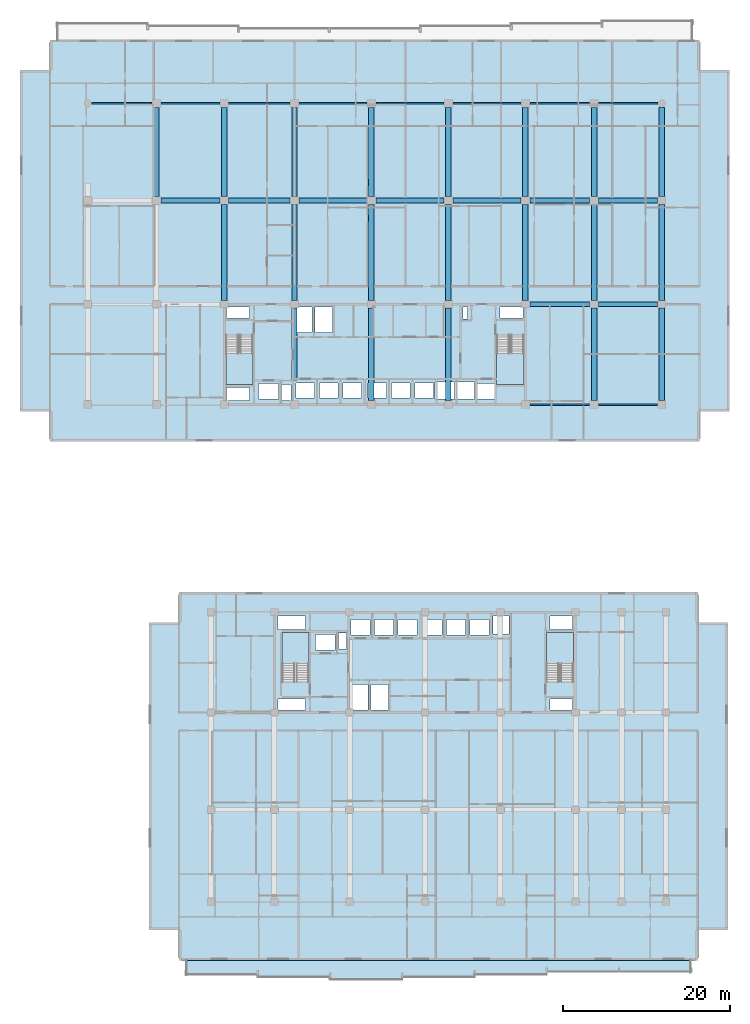
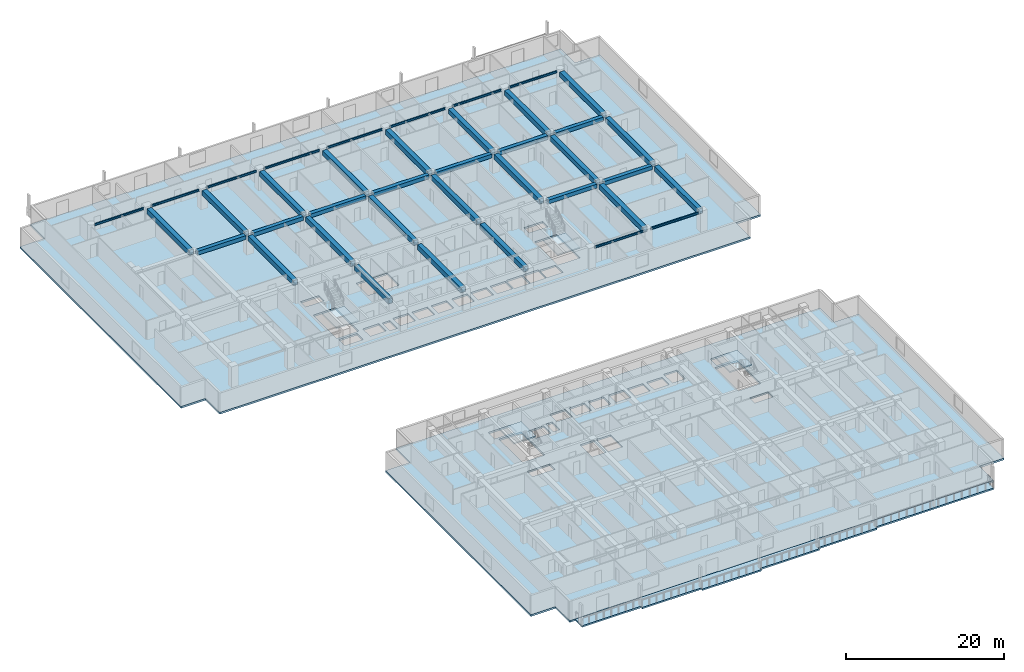
# One storey, part 2 of 23: 39 beams, 7 slabs, 4 elements without a shape of their own.
"""IFC4 building model written with IfcOpenShell, lengths in metres."""

from ifc_helpers import new_model, si_unit, direction, frame, origin, origin_2d, place, context, subcontext, project, spatial, polyline, rectangle, i_section, outline, extrude, material, layer, layer_set, material_profile, profile_set, type_object, element, aggregate, save


model = new_model("IFC4")

# Units and contexts
model_context = context("Model", 3, precision=1e-05, world=origin(), true_north=direction((0.0, 1.0)))
body_context = subcontext(model_context, "Body", "Model", "MODEL_VIEW")
ifc_project = project(units=[si_unit("LENGTHUNIT", "METRE"), si_unit("AREAUNIT", "SQUARE_METRE"), si_unit("VOLUMEUNIT", "CUBIC_METRE"), si_unit("PLANEANGLEUNIT", "RADIAN"), si_unit("MASSUNIT", "GRAM", prefix="KILO")], contexts=[model_context])

# Site, building, storey
site_placement = place(None, origin())
site = spatial("IfcSite", under=ifc_project, at=site_placement, CompositionType="ELEMENT")
building_placement = place(site_placement, origin())
building = spatial("IfcBuilding", under=site, at=building_placement, Name="Korimba Cascade Residences", CompositionType="ELEMENT")
storey_placement = place(building_placement, frame((0.0, 0.0, 40.25)))
storey = spatial("IfcBuildingStorey", under=building, at=storey_placement, Name="L10", CompositionType="ELEMENT", Elevation=40.25)

# Beams
ifc_material_1 = material(Name="Concrete C50/60", Category="concrete")
ifc_material_profile_1 = material_profile(ifc_material_1, rectangle(XDim=0.550048828125, YDim=0.60009765625, at=origin_2d()), Name="Concrete C50/60")
ifc_profile_set_1 = profile_set([ifc_material_profile_1], Name="Concrete C50/60")
beam_type_1 = type_object("IfcBeamType", Name="BM-RC-B600", PredefinedType="BEAM", material=ifc_profile_set_1)
beam_1_placement = place(storey_placement, frame((112.625, 67.199951171875, 2.669921875), z_axis=(1.0, 0.0, 0.0), x_axis=(0.0, 1.0, 0.0)))
element("IfcBeam", 1, at=beam_1_placement, inside=storey, type_object=beam_type_1, Name="L10 T1 E-W Girder Y2 Bay 7", PredefinedType="BEAM", context=body_context, shape_type="SweptSolid", body=[
    extrude(rectangle(XDim=0.550048828125, YDim=0.60009765625, at=origin_2d()), origin(), (0.0, 0.0, 1.0), 7.14990234375),
])
for number, where, z_axis, x_axis, name in (
    (2, (120.824951171875, 67.199951171875, 2.669921875), (1.0, 0.0, 0.0), (0.0, 1.0, 0.0), "L10 T1 E-W Girder Y2 Bay 8"),
    (3, (68.52490234375, 79.60009765625, 2.669921875), (1.0, 0.0, 0.0), (0.0, 1.0, 0.0), "L10 T1 E-W Girder Y3 Bay 2"),
):
    element("IfcBeam", number, at=place(storey_placement, frame(where, z_axis=z_axis, x_axis=x_axis)), inside=storey, type_object=beam_type_1, Name=name, PredefinedType="BEAM", context=body_context, shape_type="SweptSolid", body=[
        extrude(rectangle(XDim=0.550048828125, YDim=0.60009765625, at=origin_2d()), origin(), (0.0, 0.0, 1.0), 7.050048828125),
    ])
beam_2_placement = place(storey_placement, frame((76.625, 79.60009765625, 2.669921875), z_axis=(1.0, 0.0, 0.0), x_axis=(0.0, 1.0, 0.0)))
element("IfcBeam", 4, at=beam_2_placement, inside=storey, type_object=beam_type_1, Name="L10 T1 E-W Girder Y3 Bay 3", PredefinedType="BEAM", context=body_context, shape_type="SweptSolid", body=[
    extrude(rectangle(XDim=0.550048828125, YDim=0.60009765625, at=origin_2d()), origin(), (0.0, 0.0, 1.0), 7.35009765625),
])
beam_3_placement = place(storey_placement, frame((85.02490234375, 79.60009765625, 2.669921875), z_axis=(1.0, 0.0, 0.0), x_axis=(0.0, 1.0, 0.0)))
element("IfcBeam", 5, at=beam_3_placement, inside=storey, type_object=beam_type_1, Name="L10 T1 E-W Girder Y3 Bay 4", PredefinedType="BEAM", context=body_context, shape_type="SweptSolid", body=[
    extrude(rectangle(XDim=0.550048828125, YDim=0.60009765625, at=origin_2d()), origin(), (0.0, 0.0, 1.0), 8.150146484375),
])
for number, where, z_axis, x_axis, name in (
    (6, (94.22509765625, 79.60009765625, 2.669921875), (1.0, 0.0, 0.0), (0.0, 1.0, 0.0), "L10 T1 E-W Girder Y3 Bay 5"),
    (7, (103.425048828125, 79.60009765625, 2.669921875), (1.0, 0.0, 0.0), (0.0, 1.0, 0.0), "L10 T1 E-W Girder Y3 Bay 6"),
):
    element("IfcBeam", number, at=place(storey_placement, frame(where, z_axis=z_axis, x_axis=x_axis)), inside=storey, type_object=beam_type_1, Name=name, PredefinedType="BEAM", context=body_context, shape_type="SweptSolid", body=[
        extrude(rectangle(XDim=0.550048828125, YDim=0.60009765625, at=origin_2d()), origin(), (0.0, 0.0, 1.0), 8.14990234375),
    ])
beam_4_placement = place(storey_placement, frame((112.625, 79.60009765625, 2.669921875), z_axis=(1.0, 0.0, 0.0), x_axis=(0.0, 1.0, 0.0)))
element("IfcBeam", 8, at=beam_4_placement, inside=storey, type_object=beam_type_1, Name="L10 T1 E-W Girder Y3 Bay 7", PredefinedType="BEAM", context=body_context, shape_type="SweptSolid", body=[
    extrude(rectangle(XDim=0.550048828125, YDim=0.60009765625, at=origin_2d()), origin(), (0.0, 0.0, 1.0), 7.14990234375),
])
beam_5_placement = place(storey_placement, frame((120.824951171875, 79.60009765625, 2.669921875), z_axis=(1.0, 0.0, 0.0), x_axis=(0.0, 1.0, 0.0)))
element("IfcBeam", 9, at=beam_5_placement, inside=storey, type_object=beam_type_1, Name="L10 T1 E-W Girder Y3 Bay 8", PredefinedType="BEAM", context=body_context, shape_type="SweptSolid", body=[
    extrude(rectangle(XDim=0.550048828125, YDim=0.60009765625, at=origin_2d()), origin(), (0.0, 0.0, 1.0), 7.050048828125),
])
ifc_material_profile_2 = material_profile(ifc_material_1, rectangle(XDim=0.64990234375, YDim=0.75, at=origin_2d()), Name="Concrete C50/60")
ifc_profile_set_2 = profile_set([ifc_material_profile_2], Name="Concrete C50/60")
beam_type_2 = type_object("IfcBeamType", Name="BM-RC-G750", PredefinedType="BEAM", material=ifc_profile_set_2)
beam_6_placement = place(storey_placement, frame((68.0, 80.074951171875, 2.594970703125), z_axis=(0.0, 1.0, 0.0), x_axis=(-1.0, 0.0, 0.0)))
element("IfcBeam", 10, at=beam_6_placement, inside=storey, type_object=beam_type_2, Name="L10 T1 N-S Girder X2 Seg 3", PredefinedType="BEAM", context=body_context, shape_type="SweptSolid", body=[
    extrude(rectangle(XDim=0.64990234375, YDim=0.75, at=origin_2d()), origin(), (0.0, 0.0, 1.0), 10.650146484375),
])
beam_7_placement = place(storey_placement, frame((76.10009765625, 67.675048828125, 2.594970703125), z_axis=(0.0, 1.0, 0.0), x_axis=(-1.0, 0.0, 0.0)))
element("IfcBeam", 11, at=beam_7_placement, inside=storey, type_object=beam_type_2, Name="L10 T1 N-S Girder X3 Seg 2", PredefinedType="BEAM", context=body_context, shape_type="SweptSolid", body=[
    extrude(rectangle(XDim=0.64990234375, YDim=0.75, at=origin_2d()), origin(), (0.0, 0.0, 1.0), 11.449951171875),
])
beam_8_placement = place(storey_placement, frame((76.10009765625, 80.074951171875, 2.594970703125), z_axis=(0.0, 1.0, 0.0), x_axis=(-1.0, 0.0, 0.0)))
element("IfcBeam", 12, at=beam_8_placement, inside=storey, type_object=beam_type_2, Name="L10 T1 N-S Girder X3 Seg 3", PredefinedType="BEAM", context=body_context, shape_type="SweptSolid", body=[
    extrude(rectangle(XDim=0.64990234375, YDim=0.75, at=origin_2d()), origin(), (0.0, 0.0, 1.0), 10.650146484375),
])
beam_9_placement = place(storey_placement, frame((84.5, 58.159912109375, 2.594970703125), z_axis=(0.0, 1.0, 0.0), x_axis=(-1.0, 0.0, 0.0)))
element("IfcBeam", 13, at=beam_9_placement, inside=storey, type_object=beam_type_2, Name="L10 T1 N-S Girder X4 Seg 1", PredefinedType="BEAM", context=body_context, shape_type="SweptSolid", body=[
    extrude(rectangle(XDim=0.64990234375, YDim=0.75, at=origin_2d()), origin(), (0.0, 0.0, 1.0), 8.565185546875),
])
beam_10_placement = place(storey_placement, frame((84.5, 67.675048828125, 2.594970703125), z_axis=(0.0, 1.0, 0.0), x_axis=(-1.0, 0.0, 0.0)))
element("IfcBeam", 14, at=beam_10_placement, inside=storey, type_object=beam_type_2, Name="L10 T1 N-S Girder X4 Seg 2", PredefinedType="BEAM", context=body_context, shape_type="SweptSolid", body=[
    extrude(rectangle(XDim=0.64990234375, YDim=0.75, at=origin_2d()), origin(), (0.0, 0.0, 1.0), 11.449951171875),
])
beam_11_placement = place(storey_placement, frame((84.5, 80.074951171875, 2.594970703125), z_axis=(0.0, 1.0, 0.0), x_axis=(-1.0, 0.0, 0.0)))
element("IfcBeam", 15, at=beam_11_placement, inside=storey, type_object=beam_type_2, Name="L10 T1 N-S Girder X4 Seg 3", PredefinedType="BEAM", context=body_context, shape_type="SweptSolid", body=[
    extrude(rectangle(XDim=0.64990234375, YDim=0.75, at=origin_2d()), origin(), (0.0, 0.0, 1.0), 10.650146484375),
])
beam_12_placement = place(storey_placement, frame((93.699951171875, 55.675048828125, 2.594970703125), z_axis=(0.0, 1.0, 0.0), x_axis=(-1.0, 0.0, 0.0)))
element("IfcBeam", 16, at=beam_12_placement, inside=storey, type_object=beam_type_2, Name="L10 T1 N-S Girder X5 Seg 1", PredefinedType="BEAM", context=body_context, shape_type="SweptSolid", body=[
    extrude(rectangle(XDim=0.64990234375, YDim=0.75, at=origin_2d()), origin(), (0.0, 0.0, 1.0), 11.050048828125),
])
beam_13_placement = place(storey_placement, frame((93.699951171875, 67.675048828125, 2.594970703125), z_axis=(0.0, 1.0, 0.0), x_axis=(-1.0, 0.0, 0.0)))
element("IfcBeam", 17, at=beam_13_placement, inside=storey, type_object=beam_type_2, Name="L10 T1 N-S Girder X5 Seg 2", PredefinedType="BEAM", context=body_context, shape_type="SweptSolid", body=[
    extrude(rectangle(XDim=0.64990234375, YDim=0.75, at=origin_2d()), origin(), (0.0, 0.0, 1.0), 11.449951171875),
])
beam_14_placement = place(storey_placement, frame((93.699951171875, 80.074951171875, 2.594970703125), z_axis=(0.0, 1.0, 0.0), x_axis=(-1.0, 0.0, 0.0)))
element("IfcBeam", 18, at=beam_14_placement, inside=storey, type_object=beam_type_2, Name="L10 T1 N-S Girder X5 Seg 3", PredefinedType="BEAM", context=body_context, shape_type="SweptSolid", body=[
    extrude(rectangle(XDim=0.64990234375, YDim=0.75, at=origin_2d()), origin(), (0.0, 0.0, 1.0), 10.650146484375),
])
beam_15_placement = place(storey_placement, frame((102.89990234375, 55.675048828125, 2.594970703125), z_axis=(0.0, 1.0, 0.0), x_axis=(-1.0, 0.0, 0.0)))
element("IfcBeam", 19, at=beam_15_placement, inside=storey, type_object=beam_type_2, Name="L10 T1 N-S Girder X6 Seg 1", PredefinedType="BEAM", context=body_context, shape_type="SweptSolid", body=[
    extrude(rectangle(XDim=0.64990234375, YDim=0.75, at=origin_2d()), origin(), (0.0, 0.0, 1.0), 11.050048828125),
])
beam_16_placement = place(storey_placement, frame((102.89990234375, 67.675048828125, 2.594970703125), z_axis=(0.0, 1.0, 0.0), x_axis=(-1.0, 0.0, 0.0)))
element("IfcBeam", 20, at=beam_16_placement, inside=storey, type_object=beam_type_2, Name="L10 T1 N-S Girder X6 Seg 2", PredefinedType="BEAM", context=body_context, shape_type="SweptSolid", body=[
    extrude(rectangle(XDim=0.64990234375, YDim=0.75, at=origin_2d()), origin(), (0.0, 0.0, 1.0), 11.449951171875),
])
beam_17_placement = place(storey_placement, frame((102.89990234375, 80.074951171875, 2.594970703125), z_axis=(0.0, 1.0, 0.0), x_axis=(-1.0, 0.0, 0.0)))
element("IfcBeam", 21, at=beam_17_placement, inside=storey, type_object=beam_type_2, Name="L10 T1 N-S Girder X6 Seg 3", PredefinedType="BEAM", context=body_context, shape_type="SweptSolid", body=[
    extrude(rectangle(XDim=0.64990234375, YDim=0.75, at=origin_2d()), origin(), (0.0, 0.0, 1.0), 10.650146484375),
])
beam_18_placement = place(storey_placement, frame((112.10009765625, 67.675048828125, 2.594970703125), z_axis=(0.0, 1.0, 0.0), x_axis=(-1.0, 0.0, 0.0)))
element("IfcBeam", 22, at=beam_18_placement, inside=storey, type_object=beam_type_2, Name="L10 T1 N-S Girder X7 Seg 2", PredefinedType="BEAM", context=body_context, shape_type="SweptSolid", body=[
    extrude(rectangle(XDim=0.64990234375, YDim=0.75, at=origin_2d()), origin(), (0.0, 0.0, 1.0), 11.449951171875),
])
beam_19_placement = place(storey_placement, frame((112.10009765625, 80.074951171875, 2.594970703125), z_axis=(0.0, 1.0, 0.0), x_axis=(-1.0, 0.0, 0.0)))
element("IfcBeam", 23, at=beam_19_placement, inside=storey, type_object=beam_type_2, Name="L10 T1 N-S Girder X7 Seg 3", PredefinedType="BEAM", context=body_context, shape_type="SweptSolid", body=[
    extrude(rectangle(XDim=0.64990234375, YDim=0.75, at=origin_2d()), origin(), (0.0, 0.0, 1.0), 10.650146484375),
])
beam_20_placement = place(storey_placement, frame((120.300048828125, 55.675048828125, 2.594970703125), z_axis=(0.0, 1.0, 0.0), x_axis=(-1.0, 0.0, 0.0)))
element("IfcBeam", 24, at=beam_20_placement, inside=storey, type_object=beam_type_2, Name="L10 T1 N-S Girder X8 Seg 1", PredefinedType="BEAM", context=body_context, shape_type="SweptSolid", body=[
    extrude(rectangle(XDim=0.64990234375, YDim=0.75, at=origin_2d()), origin(), (0.0, 0.0, 1.0), 11.050048828125),
])
beam_21_placement = place(storey_placement, frame((120.300048828125, 67.675048828125, 2.594970703125), z_axis=(0.0, 1.0, 0.0), x_axis=(-1.0, 0.0, 0.0)))
element("IfcBeam", 25, at=beam_21_placement, inside=storey, type_object=beam_type_2, Name="L10 T1 N-S Girder X8 Seg 2", PredefinedType="BEAM", context=body_context, shape_type="SweptSolid", body=[
    extrude(rectangle(XDim=0.64990234375, YDim=0.75, at=origin_2d()), origin(), (0.0, 0.0, 1.0), 11.449951171875),
])
beam_22_placement = place(storey_placement, frame((120.300048828125, 80.074951171875, 2.594970703125), z_axis=(0.0, 1.0, 0.0), x_axis=(-1.0, 0.0, 0.0)))
element("IfcBeam", 26, at=beam_22_placement, inside=storey, type_object=beam_type_2, Name="L10 T1 N-S Girder X8 Seg 3", PredefinedType="BEAM", context=body_context, shape_type="SweptSolid", body=[
    extrude(rectangle(XDim=0.64990234375, YDim=0.75, at=origin_2d()), origin(), (0.0, 0.0, 1.0), 10.650146484375),
])
beam_23_placement = place(storey_placement, frame((128.39990234375, 55.675048828125, 2.594970703125), z_axis=(0.0, 1.0, 0.0), x_axis=(-1.0, 0.0, 0.0)))
element("IfcBeam", 27, at=beam_23_placement, inside=storey, type_object=beam_type_2, Name="L10 T1 N-S Girder X9 Seg 1", PredefinedType="BEAM", context=body_context, shape_type="SweptSolid", body=[
    extrude(rectangle(XDim=0.64990234375, YDim=0.75, at=origin_2d()), origin(), (0.0, 0.0, 1.0), 11.050048828125),
])
beam_24_placement = place(storey_placement, frame((128.39990234375, 67.675048828125, 2.594970703125), z_axis=(0.0, 1.0, 0.0), x_axis=(-1.0, 0.0, 0.0)))
element("IfcBeam", 28, at=beam_24_placement, inside=storey, type_object=beam_type_2, Name="L10 T1 N-S Girder X9 Seg 2", PredefinedType="BEAM", context=body_context, shape_type="SweptSolid", body=[
    extrude(rectangle(XDim=0.64990234375, YDim=0.75, at=origin_2d()), origin(), (0.0, 0.0, 1.0), 11.449951171875),
])
beam_25_placement = place(storey_placement, frame((128.39990234375, 80.074951171875, 2.594970703125), z_axis=(0.0, 1.0, 0.0), x_axis=(-1.0, 0.0, 0.0)))
element("IfcBeam", 29, at=beam_25_placement, inside=storey, type_object=beam_type_2, Name="L10 T1 N-S Girder X9 Seg 3", PredefinedType="BEAM", context=body_context, shape_type="SweptSolid", body=[
    extrude(rectangle(XDim=0.64990234375, YDim=0.75, at=origin_2d()), origin(), (0.0, 0.0, 1.0), 10.650146484375),
])
ifc_material_2 = material(Name="Steel S355", Category="steel")
ifc_material_profile_3 = material_profile(ifc_material_2, i_section(OverallWidth=0.165771484375, OverallDepth=0.306640625, WebThickness=0.006591796875, FlangeThickness=0.01171875, FilletRadius=0.0087890625, at=origin_2d()), Name="Steel S355")
ifc_profile_set_3 = profile_set([ifc_material_profile_3], Name="Steel S355")
beam_type_3 = type_object("IfcBeamType", Name="BM-STL-UB305", PredefinedType="SPANDREL", material=ifc_profile_set_3)
beam_26_placement = place(storey_placement, frame((112.625, 55.199951171875, 2.816650390625), z_axis=(1.0, 0.0, 0.0), x_axis=(0.0, 1.0, 0.0)))
element("IfcBeam", 30, at=beam_26_placement, inside=storey, type_object=beam_type_3, Name="L10 T1 E-W Girder Y1 Bay 7", PredefinedType="SPANDREL", context=body_context, shape_type="SweptSolid", body=[
    extrude(i_section(OverallWidth=0.165771484375, OverallDepth=0.306640625, WebThickness=0.006591796875, FlangeThickness=0.01171875, FilletRadius=0.0087890625, at=origin_2d()), origin(), (0.0, 0.0, 1.0), 7.14990234375),
])
beam_27_placement = place(storey_placement, frame((120.824951171875, 55.199951171875, 2.816650390625), z_axis=(1.0, 0.0, 0.0), x_axis=(0.0, 1.0, 0.0)))
element("IfcBeam", 31, at=beam_27_placement, inside=storey, type_object=beam_type_3, Name="L10 T1 E-W Girder Y1 Bay 8", PredefinedType="SPANDREL", context=body_context, shape_type="SweptSolid", body=[
    extrude(i_section(OverallWidth=0.165771484375, OverallDepth=0.306640625, WebThickness=0.006591796875, FlangeThickness=0.01171875, FilletRadius=0.0087890625, at=origin_2d()), origin(), (0.0, 0.0, 1.0), 7.050048828125),
])
beam_28_placement = place(storey_placement, frame((60.27490234375, 91.199951171875, 2.816650390625), z_axis=(1.0, 0.0, 0.0), x_axis=(0.0, 1.0, 0.0)))
element("IfcBeam", 32, at=beam_28_placement, inside=storey, type_object=beam_type_3, Name="L10 T1 E-W Girder Y4 Bay 1", PredefinedType="SPANDREL", context=body_context, shape_type="SweptSolid", body=[
    extrude(i_section(OverallWidth=0.165771484375, OverallDepth=0.306640625, WebThickness=0.006591796875, FlangeThickness=0.01171875, FilletRadius=0.0087890625, at=origin_2d()), origin(), (0.0, 0.0, 1.0), 7.2001953125),
])
beam_29_placement = place(storey_placement, frame((68.52490234375, 91.199951171875, 2.816650390625), z_axis=(1.0, 0.0, 0.0), x_axis=(0.0, 1.0, 0.0)))
element("IfcBeam", 33, at=beam_29_placement, inside=storey, type_object=beam_type_3, Name="L10 T1 E-W Girder Y4 Bay 2", PredefinedType="SPANDREL", context=body_context, shape_type="SweptSolid", body=[
    extrude(i_section(OverallWidth=0.165771484375, OverallDepth=0.306640625, WebThickness=0.006591796875, FlangeThickness=0.01171875, FilletRadius=0.0087890625, at=origin_2d()), origin(), (0.0, 0.0, 1.0), 7.050048828125),
])
beam_30_placement = place(storey_placement, frame((76.625, 91.199951171875, 2.816650390625), z_axis=(1.0, 0.0, 0.0), x_axis=(0.0, 1.0, 0.0)))
element("IfcBeam", 34, at=beam_30_placement, inside=storey, type_object=beam_type_3, Name="L10 T1 E-W Girder Y4 Bay 3", PredefinedType="SPANDREL", context=body_context, shape_type="SweptSolid", body=[
    extrude(i_section(OverallWidth=0.165771484375, OverallDepth=0.306640625, WebThickness=0.006591796875, FlangeThickness=0.01171875, FilletRadius=0.0087890625, at=origin_2d()), origin(), (0.0, 0.0, 1.0), 7.35009765625),
])
beam_31_placement = place(storey_placement, frame((85.02490234375, 91.199951171875, 2.816650390625), z_axis=(1.0, 0.0, 0.0), x_axis=(0.0, 1.0, 0.0)))
element("IfcBeam", 35, at=beam_31_placement, inside=storey, type_object=beam_type_3, Name="L10 T1 E-W Girder Y4 Bay 4", PredefinedType="SPANDREL", context=body_context, shape_type="SweptSolid", body=[
    extrude(i_section(OverallWidth=0.165771484375, OverallDepth=0.306640625, WebThickness=0.006591796875, FlangeThickness=0.01171875, FilletRadius=0.0087890625, at=origin_2d()), origin(), (0.0, 0.0, 1.0), 8.150146484375),
])
for number, where, z_axis, x_axis, name in (
    (36, (94.22509765625, 91.199951171875, 2.816650390625), (1.0, 0.0, 0.0), (0.0, 1.0, 0.0), "L10 T1 E-W Girder Y4 Bay 5"),
    (37, (103.425048828125, 91.199951171875, 2.816650390625), (1.0, 0.0, 0.0), (0.0, 1.0, 0.0), "L10 T1 E-W Girder Y4 Bay 6"),
):
    element("IfcBeam", number, at=place(storey_placement, frame(where, z_axis=z_axis, x_axis=x_axis)), inside=storey, type_object=beam_type_3, Name=name, PredefinedType="SPANDREL", context=body_context, shape_type="SweptSolid", body=[
        extrude(i_section(OverallWidth=0.165771484375, OverallDepth=0.306640625, WebThickness=0.006591796875, FlangeThickness=0.01171875, FilletRadius=0.0087890625, at=origin_2d()), origin(), (0.0, 0.0, 1.0), 8.14990234375),
    ])
beam_32_placement = place(storey_placement, frame((112.625, 91.199951171875, 2.816650390625), z_axis=(1.0, 0.0, 0.0), x_axis=(0.0, 1.0, 0.0)))
element("IfcBeam", 38, at=beam_32_placement, inside=storey, type_object=beam_type_3, Name="L10 T1 E-W Girder Y4 Bay 7", PredefinedType="SPANDREL", context=body_context, shape_type="SweptSolid", body=[
    extrude(i_section(OverallWidth=0.165771484375, OverallDepth=0.306640625, WebThickness=0.006591796875, FlangeThickness=0.01171875, FilletRadius=0.0087890625, at=origin_2d()), origin(), (0.0, 0.0, 1.0), 7.14990234375),
])
beam_33_placement = place(storey_placement, frame((120.824951171875, 91.199951171875, 2.816650390625), z_axis=(1.0, 0.0, 0.0), x_axis=(0.0, 1.0, 0.0)))
element("IfcBeam", 39, at=beam_33_placement, inside=storey, type_object=beam_type_3, Name="L10 T1 E-W Girder Y4 Bay 8", PredefinedType="SPANDREL", context=body_context, shape_type="SweptSolid", body=[
    extrude(i_section(OverallWidth=0.165771484375, OverallDepth=0.306640625, WebThickness=0.006591796875, FlangeThickness=0.01171875, FilletRadius=0.0087890625, at=origin_2d()), origin(), (0.0, 0.0, 1.0), 7.10009765625),
])

# Stair, slab
stair_type_1 = type_object("IfcStairType", Name="STR-W1-18R-1806", PredefinedType="HALF_TURN_STAIR", material=ifc_material_1)
stair_1_placement = place(storey_placement, origin())
stair_1 = element("IfcStair", 40, at=stair_1_placement, inside=storey, type_object=stair_type_1, Name="L10 Tower 1 West Fire Stair ST-W1", PredefinedType="HALF_TURN_STAIR")
ifc_layer_1 = layer(ifc_material_1, 0.199951171875)
ifc_layer_set_1 = layer_set([ifc_layer_1], Name="Concrete C50/60")
slab_type_1 = type_object("IfcSlabType", Name="SLB-LND-220", PredefinedType="LANDING", material=ifc_layer_set_1)
slab_1_placement = place(storey_placement, frame((0.0, 0.0, 1.425048828125)))
slab_1 = element("IfcSlab", 41, at=slab_1_placement, type_object=slab_type_1, Name="ST-W1 landing 1", PredefinedType="LANDING", context=body_context, shape_type="SweptSolid", body=[
    extrude(outline(polyline([(76.300048828125, 61.31005859375), (76.300048828125, 57.60009765625), (79.5400390625, 57.60009765625), (79.5400390625, 61.31005859375), (76.300048828125, 61.31005859375)])), origin(), (0.0, 0.0, 1.0), 0.199951171875),
])
aggregate(stair_1, [slab_1])

stair_type_2 = type_object("IfcStairType", Name="STR-W2-18R-1806", PredefinedType="HALF_TURN_STAIR", material=ifc_material_1)
stair_2_placement = place(storey_placement, origin())
stair_2 = element("IfcStair", 42, at=stair_2_placement, inside=storey, type_object=stair_type_2, Name="L10 Tower 1 East Fire Stair ST-W2", PredefinedType="HALF_TURN_STAIR")
slab_2_placement = place(storey_placement, frame((0.0, 0.0, 1.425048828125)))
slab_2 = element("IfcSlab", 43, at=slab_2_placement, type_object=slab_type_1, Name="ST-W2 landing 1", PredefinedType="LANDING", context=body_context, shape_type="SweptSolid", body=[
    extrude(outline(polyline([(108.659912109375, 61.31005859375), (108.659912109375, 57.60009765625), (111.89990234375, 57.60009765625), (111.89990234375, 61.31005859375), (108.659912109375, 61.31005859375)])), origin(), (0.0, 0.0, 1.0), 0.199951171875),
])
aggregate(stair_2, [slab_2])

stair_type_3 = type_object("IfcStairType", Name="STR-E1-18R-1806", PredefinedType="HALF_TURN_STAIR", material=ifc_material_1)
stair_3_placement = place(storey_placement, origin())
stair_3 = element("IfcStair", 44, at=stair_3_placement, inside=storey, type_object=stair_type_3, Name="L10 Tower 2 West Fire Stair ST-E1", PredefinedType="HALF_TURN_STAIR")
slab_3_placement = place(storey_placement, frame((0.0, 0.0, 1.425048828125)))
slab_3 = element("IfcSlab", 45, at=slab_3_placement, type_object=slab_type_1, Name="ST-E1 landing 1", PredefinedType="LANDING", context=body_context, shape_type="SweptSolid", body=[
    extrude(outline(polyline([(86.239990234375, 24.2900390625), (86.239990234375, 28.0), (83.0, 28.0), (83.0, 24.2900390625), (86.239990234375, 24.2900390625)])), origin(), (0.0, 0.0, 1.0), 0.199951171875),
])
aggregate(stair_3, [slab_3])

stair_type_4 = type_object("IfcStairType", Name="STR-E2-18R-1806", PredefinedType="HALF_TURN_STAIR", material=ifc_material_1)
stair_4_placement = place(storey_placement, origin())
stair_4 = element("IfcStair", 46, at=stair_4_placement, inside=storey, type_object=stair_type_4, Name="L10 Tower 2 East Fire Stair ST-E2", PredefinedType="HALF_TURN_STAIR")
slab_4_placement = place(storey_placement, frame((0.0, 0.0, 1.425048828125)))
slab_4 = element("IfcSlab", 47, at=slab_4_placement, type_object=slab_type_1, Name="ST-E2 landing 1", PredefinedType="LANDING", context=body_context, shape_type="SweptSolid", body=[
    extrude(outline(polyline([(117.840087890625, 24.2900390625), (117.840087890625, 28.0), (114.60009765625, 28.0), (114.60009765625, 24.2900390625), (117.840087890625, 24.2900390625)])), origin(), (0.0, 0.0, 1.0), 0.199951171875),
])
aggregate(stair_4, [slab_4])

# Slabs
ifc_material_3 = material(Name="Precast concrete C40/50", Category="concrete")
ifc_layer_2 = layer(ifc_material_3, 0.239990234375)
ifc_layer_set_2 = layer_set([ifc_layer_2], Name="Precast concrete C40/50")
slab_type_2 = type_object("IfcSlabType", Name="SLB-LOG-240", PredefinedType="FLOOR", material=ifc_layer_set_2)
slab_5_placement = place(storey_placement, frame((0.0, 0.0, -0.239990234375)))
element("IfcSlab", 48, at=slab_5_placement, inside=storey, type_object=slab_type_2, Name="L10 Tower 2 South Loggia Slab", PredefinedType="FLOOR", context=body_context, shape_type="SweptSolid", body=[
    extrude(outline(polyline([(71.5, -12.949951171875), (80.128662109375, -12.949951171875), (80.128662109375, -13.25), (88.757080078125, -13.25), (88.757080078125, -13.550048828125), (97.3857421875, -13.550048828125), (97.3857421875, -13.25), (106.014404296875, -13.25), (106.014404296875, -12.949951171875), (114.642822265625, -12.949951171875), (114.642822265625, -12.64990234375), (131.89990234375, -12.64990234375), (131.89990234375, -11.199951171875), (71.5, -11.199951171875), (71.5, -12.949951171875)])), origin(), (0.0, 0.0, 1.0), 0.239990234375),
])
ifc_layer_3 = layer(ifc_material_1, 0.280029296875)
ifc_layer_set_3 = layer_set([ifc_layer_3], Name="Concrete C50/60")
slab_type_3 = type_object("IfcSlabType", Name="SLB-TYP-280", PredefinedType="FLOOR", material=ifc_layer_set_3)
slab_6_placement = place(storey_placement, frame((0.0, 0.0, -0.280029296875)))
element("IfcSlab", 49, at=slab_6_placement, inside=storey, type_object=slab_type_3, Name="L10 Tower 1 Floor Slab", PredefinedType="FLOOR", context=body_context, shape_type="SweptSolid", body=[
    extrude(outline(polyline([(55.300048828125, 50.800048828125), (132.89990234375, 50.800048828125), (132.89990234375, 54.39990234375), (136.5, 54.39990234375), (136.5, 95.199951171875), (132.89990234375, 95.199951171875), (132.89990234375, 98.800048828125), (55.300048828125, 98.800048828125), (55.300048828125, 95.199951171875), (51.699951171875, 95.199951171875), (51.699951171875, 54.39990234375), (55.300048828125, 54.39990234375), (55.300048828125, 50.800048828125)]), holes=[polyline([(76.300048828125, 63.514892578125), (76.300048828125, 57.60009765625), (79.5400390625, 57.60009765625), (79.5400390625, 63.514892578125), (76.300048828125, 63.514892578125)]), polyline([(108.659912109375, 63.514892578125), (108.659912109375, 57.60009765625), (111.89990234375, 57.60009765625), (111.89990234375, 63.514892578125), (108.659912109375, 63.514892578125)]), polyline([(80.22998046875, 55.8798828125), (82.570068359375, 55.8798828125), (82.570068359375, 57.719970703125), (80.22998046875, 57.719970703125), (80.22998046875, 55.8798828125)]), polyline([(106.080078125, 55.8798828125), (108.419921875, 55.8798828125), (108.419921875, 57.719970703125), (106.080078125, 57.719970703125), (106.080078125, 55.8798828125)]), polyline([(84.679931640625, 55.97998046875), (86.919921875, 55.97998046875), (86.919921875, 57.820068359375), (84.679931640625, 57.820068359375), (84.679931640625, 55.97998046875)]), polyline([(87.47998046875, 55.97998046875), (89.719970703125, 55.97998046875), (89.719970703125, 57.820068359375), (87.47998046875, 57.820068359375), (87.47998046875, 55.97998046875)]), polyline([(90.280029296875, 55.97998046875), (92.52001953125, 55.97998046875), (92.52001953125, 57.820068359375), (90.280029296875, 57.820068359375), (90.280029296875, 55.97998046875)]), polyline([(93.280029296875, 55.97998046875), (95.52001953125, 55.97998046875), (95.52001953125, 57.820068359375), (93.280029296875, 57.820068359375), (93.280029296875, 55.97998046875)]), polyline([(96.080078125, 55.97998046875), (98.320068359375, 55.97998046875), (98.320068359375, 57.820068359375), (96.080078125, 57.820068359375), (96.080078125, 55.97998046875)]), polyline([(98.8798828125, 55.97998046875), (101.1201171875, 55.97998046875), (101.1201171875, 57.820068359375), (98.8798828125, 57.820068359375), (98.8798828125, 55.97998046875)]), polyline([(101.304931640625, 55.8798828125), (103.594970703125, 55.8798828125), (103.594970703125, 57.919921875), (101.304931640625, 57.919921875), (101.304931640625, 55.8798828125)]), polyline([(103.705078125, 55.8798828125), (105.9951171875, 55.8798828125), (105.9951171875, 57.919921875), (103.705078125, 57.919921875), (103.705078125, 55.8798828125)]), polyline([(82.97998046875, 55.679931640625), (84.080078125, 55.679931640625), (84.080078125, 57.6201171875), (82.97998046875, 57.6201171875), (82.97998046875, 55.679931640625)]), polyline([(76.39990234375, 65.56005859375), (79.10009765625, 65.56005859375), (79.10009765625, 66.8798828125), (76.39990234375, 66.8798828125), (76.39990234375, 65.56005859375)]), polyline([(76.39990234375, 55.679931640625), (79.10009765625, 55.679931640625), (79.10009765625, 57.239990234375), (76.39990234375, 57.239990234375), (76.39990234375, 55.679931640625)]), polyline([(84.530029296875, 63.820068359375), (86.6201171875, 63.820068359375), (86.6201171875, 66.8798828125), (84.530029296875, 66.8798828125), (84.530029296875, 63.820068359375)]), polyline([(86.97998046875, 63.820068359375), (89.070068359375, 63.820068359375), (89.070068359375, 66.8798828125), (86.97998046875, 66.8798828125), (86.97998046875, 63.820068359375)]), polyline([(104.6201171875, 65.4599609375), (105.179931640625, 65.4599609375), (105.179931640625, 66.8798828125), (104.6201171875, 66.8798828125), (104.6201171875, 65.4599609375)]), polyline([(109.080078125, 65.56005859375), (111.800048828125, 65.56005859375), (111.800048828125, 66.8798828125), (109.080078125, 66.8798828125), (109.080078125, 65.56005859375)])]), origin(), (0.0, 0.0, 1.0), 0.280029296875),
])
slab_7_placement = place(storey_placement, frame((0.0, 0.0, -0.280029296875)))
element("IfcSlab", 50, at=slab_7_placement, inside=storey, type_object=slab_type_3, Name="L10 Tower 2 Floor Slab", PredefinedType="FLOOR", context=body_context, shape_type="SweptSolid", body=[
    extrude(outline(polyline([(70.699951171875, -11.199951171875), (132.699951171875, -11.199951171875), (132.699951171875, -7.60009765625), (136.300048828125, -7.60009765625), (136.300048828125, 29.199951171875), (132.699951171875, 29.199951171875), (132.699951171875, 32.800048828125), (70.699951171875, 32.800048828125), (70.699951171875, 29.199951171875), (67.10009765625, 29.199951171875), (67.10009765625, -7.60009765625), (70.699951171875, -7.60009765625), (70.699951171875, -11.199951171875)]), holes=[polyline([(86.239990234375, 22.0849609375), (86.239990234375, 28.0), (83.0, 28.0), (83.0, 22.0849609375), (86.239990234375, 22.0849609375)]), polyline([(117.840087890625, 22.0849609375), (117.840087890625, 28.0), (114.60009765625, 28.0), (114.60009765625, 22.0849609375), (117.840087890625, 22.0849609375)]), polyline([(87.030029296875, 25.8798828125), (89.3701171875, 25.8798828125), (89.3701171875, 27.719970703125), (87.030029296875, 27.719970703125), (87.030029296875, 25.8798828125)]), polyline([(91.280029296875, 27.679931640625), (93.52001953125, 27.679931640625), (93.52001953125, 29.52001953125), (91.280029296875, 29.52001953125), (91.280029296875, 27.679931640625)]), polyline([(94.080078125, 27.679931640625), (96.320068359375, 27.679931640625), (96.320068359375, 29.52001953125), (94.080078125, 29.52001953125), (94.080078125, 27.679931640625)]), polyline([(96.8798828125, 27.679931640625), (99.1201171875, 27.679931640625), (99.1201171875, 29.52001953125), (96.8798828125, 29.52001953125), (96.8798828125, 27.679931640625)]), polyline([(99.8798828125, 27.679931640625), (102.1201171875, 27.679931640625), (102.1201171875, 29.52001953125), (99.8798828125, 29.52001953125), (99.8798828125, 27.679931640625)]), polyline([(102.679931640625, 27.679931640625), (104.919921875, 27.679931640625), (104.919921875, 29.52001953125), (102.679931640625, 29.52001953125), (102.679931640625, 27.679931640625)]), polyline([(105.47998046875, 27.679931640625), (107.719970703125, 27.679931640625), (107.719970703125, 29.52001953125), (105.47998046875, 29.52001953125), (105.47998046875, 27.679931640625)]), polyline([(89.780029296875, 25.97998046875), (90.719970703125, 25.97998046875), (90.719970703125, 27.919921875), (89.780029296875, 27.919921875), (89.780029296875, 25.97998046875)]), polyline([(82.530029296875, 18.72998046875), (85.800048828125, 18.72998046875), (85.800048828125, 20.0400390625), (82.530029296875, 20.0400390625), (82.530029296875, 18.72998046875)]), polyline([(82.530029296875, 28.360107421875), (85.800048828125, 28.360107421875), (85.800048828125, 29.969970703125), (82.530029296875, 29.969970703125), (82.530029296875, 28.360107421875)]), polyline([(108.22998046875, 27.780029296875), (110.1201171875, 27.780029296875), (110.1201171875, 29.969970703125), (108.22998046875, 29.969970703125), (108.22998046875, 27.780029296875)]), polyline([(91.22998046875, 18.72998046875), (93.27001953125, 18.72998046875), (93.27001953125, 21.780029296875), (91.22998046875, 21.780029296875), (91.22998046875, 18.72998046875)]), polyline([(93.6298828125, 18.72998046875), (95.719970703125, 18.72998046875), (95.719970703125, 21.780029296875), (93.6298828125, 21.780029296875), (93.6298828125, 18.72998046875)]), polyline([(115.02001953125, 18.72998046875), (117.739990234375, 18.72998046875), (117.739990234375, 20.0400390625), (115.02001953125, 20.0400390625), (115.02001953125, 18.72998046875)]), polyline([(115.02001953125, 28.360107421875), (117.739990234375, 28.360107421875), (117.739990234375, 29.969970703125), (115.02001953125, 29.969970703125), (115.02001953125, 28.360107421875)])]), origin(), (0.0, 0.0, 1.0), 0.280029296875),
])

save(model, "model.ifc")
